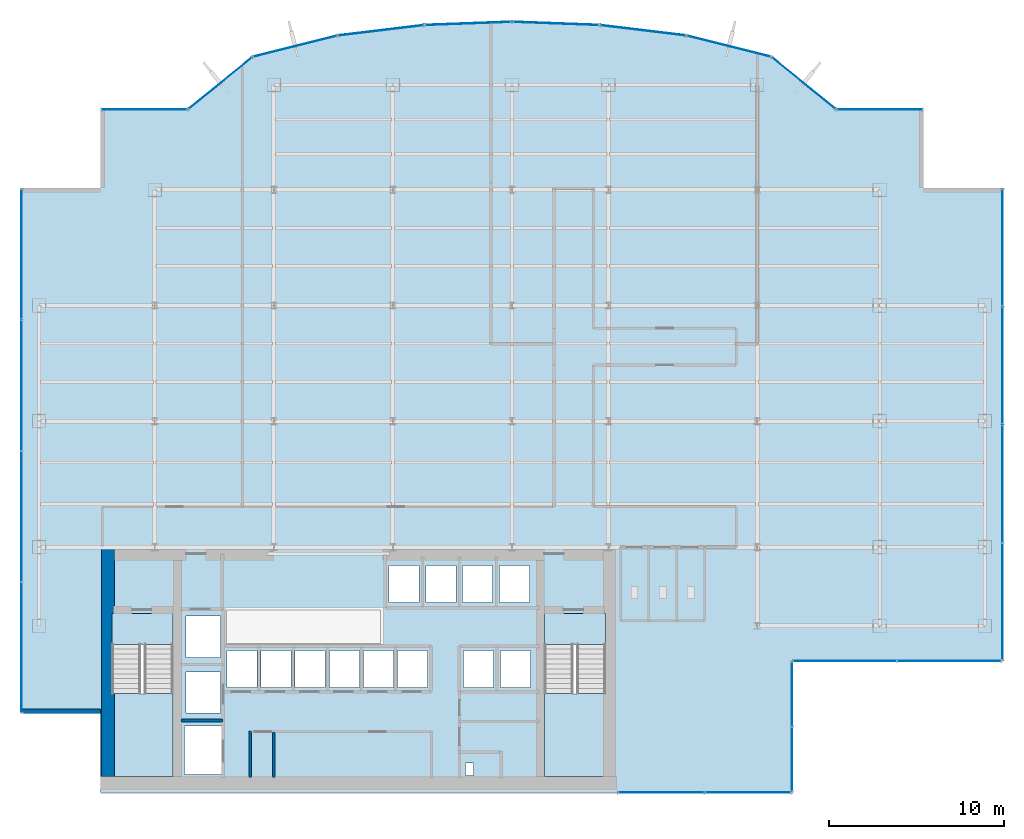
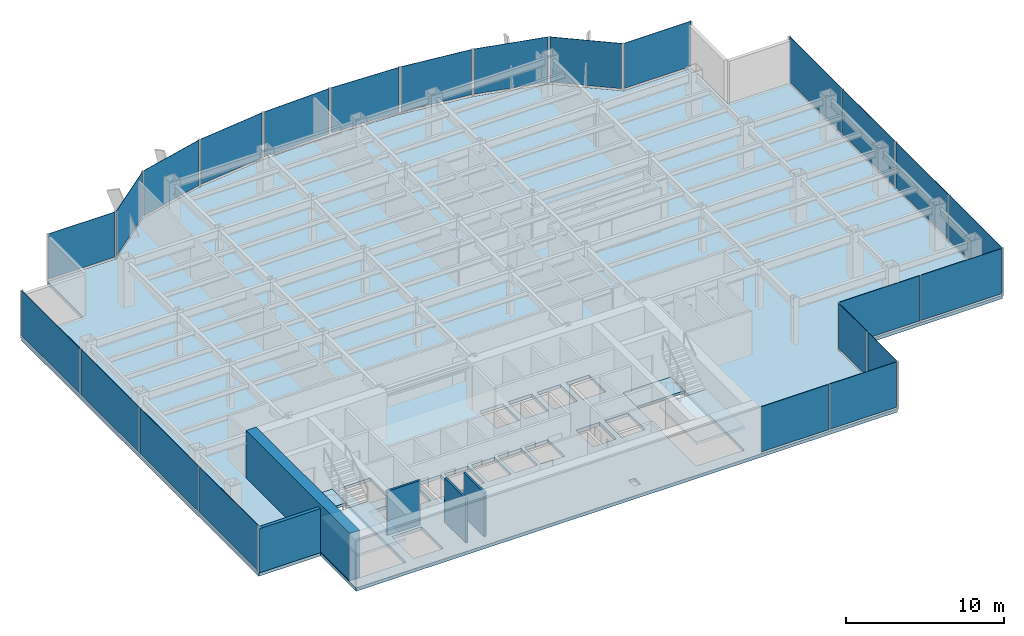
# One storey, part 20 of 26: 24 plates, 5 slabs, 5 walls, 17 elements without a shape of their own.
"""IFC4 building model written with IfcOpenShell, lengths in metres."""

from ifc_helpers import new_model, si_unit, derived_unit, direction, frame, frame_2d, origin, origin_2d, place, context, subcontext, project, spatial, polyline, rectangle, outline, extrude, source, transform, mapped, material, layer, layer_set, type_object, element, aggregate, save


model = new_model("IFC4")

# Units and contexts
model_context = context("Model", 3, precision=1e-05, world=origin(), true_north=direction((0.0, 1.0)))
body_context = subcontext(model_context, "Body", "Model", "MODEL_VIEW")
ifc_project = project(units=[si_unit("LENGTHUNIT", "METRE"), si_unit("AREAUNIT", "SQUARE_METRE"), si_unit("VOLUMEUNIT", "CUBIC_METRE"), si_unit("PLANEANGLEUNIT", "RADIAN"), si_unit("MASSUNIT", "GRAM", prefix="KILO"), derived_unit("THERMALTRANSMITTANCEUNIT", [(si_unit("POWERUNIT", "WATT"), 1), (si_unit("LENGTHUNIT", "METRE"), -2), (si_unit("THERMODYNAMICTEMPERATUREUNIT", "KELVIN"), -1)])], contexts=[model_context])

# Site, building, storey
site_placement = place(None, origin())
site = spatial("IfcSite", under=ifc_project, at=site_placement, CompositionType="ELEMENT")
building_placement = place(site_placement, origin())
building = spatial("IfcBuilding", under=site, at=building_placement, Name="Skarnbrae Concourse Arena and Tower", CompositionType="ELEMENT")
storey_placement = place(building_placement, frame((0.0, 0.0, 117.85009765625)))
storey = spatial("IfcBuildingStorey", under=building, at=storey_placement, Name="L29", CompositionType="ELEMENT", Elevation=117.85009765625)

# Stair, slab
ifc_material_1 = material(Name="Concrete 40 MPa (C40/50)", Category="concrete")
stair_type = type_object("IfcStairType", Name="STAIR-DOGLEG-1650", PredefinedType="HALF_TURN_STAIR", material=ifc_material_1)
stair_1_placement = place(storey_placement, origin())
stair_1 = element("IfcStair", 1, at=stair_1_placement, inside=storey, type_object=stair_type, Name="L29 Protected Exit Stair ST-1", PredefinedType="HALF_TURN_STAIR")
ifc_layer_1 = layer(ifc_material_1, 0.199951171875)
ifc_layer_set_1 = layer_set([ifc_layer_1], Name="Concrete 40 MPa (C40/50)")
slab_type_1 = type_object("IfcSlabType", Name="SLAB-LANDING-200", PredefinedType="LANDING", material=ifc_layer_set_1)
slab_1_placement = place(storey_placement, frame((0.0, 0.0, 1.625)))
slab_1 = element("IfcSlab", 2, at=slab_1_placement, type_object=slab_type_1, Name="ST-1 landing 1", PredefinedType="LANDING", context=body_context, shape_type="SweptSolid", body=[
    extrude(outline(polyline([(5.14990234375, 5.64990234375), (5.14990234375, 0.89990234375), (8.64990234375, 0.89990234375), (8.64990234375, 5.64990234375), (5.14990234375, 5.64990234375)])), origin(), (0.0, 0.0, 1.0), 0.199951171875),
])
aggregate(stair_1, [slab_1])

stair_2_placement = place(storey_placement, origin())
stair_2 = element("IfcStair", 3, at=stair_2_placement, inside=storey, type_object=stair_type, Name="L29 Protected Exit Stair ST-2", PredefinedType="HALF_TURN_STAIR")
slab_2_placement = place(storey_placement, frame((0.0, 0.0, 1.625)))
slab_2 = element("IfcSlab", 4, at=slab_2_placement, type_object=slab_type_1, Name="ST-2 landing 1", PredefinedType="LANDING", context=body_context, shape_type="SweptSolid", body=[
    extrude(outline(polyline([(29.85009765625, 5.64990234375), (29.85009765625, 0.89990234375), (33.35009765625, 0.89990234375), (33.35009765625, 5.64990234375), (29.85009765625, 5.64990234375)])), origin(), (0.0, 0.0, 1.0), 0.199951171875),
])
aggregate(stair_2, [slab_2])

# Slabs
slab_3_placement = place(storey_placement, frame((0.0, 0.0, -0.2001953125)))
element("IfcSlab", 5, at=slab_3_placement, inside=storey, type_object=slab_type_1, Name="L29 Core stair ST1 floor landing", PredefinedType="LANDING", context=body_context, shape_type="SweptSolid", body=[
    extrude(outline(polyline([(5.14990234375, 10.199951171875), (5.14990234375, 8.449951171875), (8.64990234375, 8.449951171875), (8.64990234375, 10.199951171875), (5.14990234375, 10.199951171875)])), origin(), (0.0, 0.0, 1.0), 0.2001953125),
])
slab_4_placement = place(storey_placement, frame((0.0, 0.0, -0.2001953125)))
element("IfcSlab", 6, at=slab_4_placement, inside=storey, type_object=slab_type_1, Name="L29 Core stair ST2 floor landing", PredefinedType="LANDING", context=body_context, shape_type="SweptSolid", body=[
    extrude(outline(polyline([(29.85009765625, 10.199951171875), (29.85009765625, 8.449951171875), (33.35009765625, 8.449951171875), (33.35009765625, 10.199951171875), (29.85009765625, 10.199951171875)])), origin(), (0.0, 0.0, 1.0), 0.2001953125),
])
ifc_layer_2 = layer(ifc_material_1, 0.25)
ifc_layer_set_2 = layer_set([ifc_layer_2], Name="Concrete 40 MPa (C40/50)")
slab_type_2 = type_object("IfcSlabType", Name="SLAB-TOWER-250", PredefinedType="FLOOR", material=ifc_layer_set_2)
slab_5_placement = place(storey_placement, frame((0.0, 0.0, -0.25)))
element("IfcSlab", 7, at=slab_5_placement, inside=storey, type_object=slab_type_2, Name="L29 Structural floor slab", PredefinedType="FLOOR", context=body_context, shape_type="SweptSolid", body=[
    extrude(outline(polyline([(4.5, 0.0), (44.0, 0.0), (44.0, 7.5), (56.0, 7.5), (56.0, 34.5), (51.5, 34.5), (51.5, 39.0), (46.5, 39.0), (42.81103515625, 41.99609375), (37.964111328125, 43.212890625), (32.998779296875, 43.81396484375), (28.0, 44.0), (23.001220703125, 43.81396484375), (18.035888671875, 43.212890625), (13.18896484375, 41.99609375), (9.5, 39.0), (4.5, 39.0), (4.5, 34.5), (0.0, 34.5), (0.0, 4.5), (4.5, 4.5), (4.5, 0.0)]), holes=[polyline([(9.294921875, 3.780029296875), (11.455078125, 3.780029296875), (11.455078125, 1.02001953125), (9.294921875, 1.02001953125), (9.294921875, 3.780029296875)]), polyline([(8.64990234375, 10.199951171875), (8.64990234375, 0.89990234375), (5.14990234375, 0.89990234375), (5.14990234375, 10.199951171875), (8.64990234375, 10.199951171875)]), polyline([(9.39501953125, 6.8798828125), (11.35498046875, 6.8798828125), (11.35498046875, 4.52001953125), (9.39501953125, 4.52001953125), (9.39501953125, 6.8798828125)]), polyline([(11.719970703125, 8.10498046875), (13.429931640625, 8.10498046875), (13.429931640625, 5.9951171875), (11.719970703125, 5.9951171875), (11.719970703125, 8.10498046875)]), polyline([(13.669921875, 8.10498046875), (15.3798828125, 8.10498046875), (15.3798828125, 5.9951171875), (13.669921875, 5.9951171875), (13.669921875, 8.10498046875)]), polyline([(15.6201171875, 8.10498046875), (17.330078125, 8.10498046875), (17.330078125, 5.9951171875), (15.6201171875, 5.9951171875), (15.6201171875, 8.10498046875)]), polyline([(17.570068359375, 8.10498046875), (19.280029296875, 8.10498046875), (19.280029296875, 5.9951171875), (17.570068359375, 5.9951171875), (17.570068359375, 8.10498046875)]), polyline([(21.22998046875, 8.10498046875), (21.22998046875, 5.9951171875), (19.52001953125, 5.9951171875), (19.52001953125, 8.10498046875), (21.22998046875, 8.10498046875)]), polyline([(11.35498046875, 10.054931640625), (11.35498046875, 7.695068359375), (9.39501953125, 7.695068359375), (9.39501953125, 10.054931640625), (11.35498046875, 10.054931640625)]), polyline([(25.35009765625, 1.669921875), (25.800048828125, 1.669921875), (25.800048828125, 0.949951171875), (25.35009765625, 0.949951171875), (25.35009765625, 1.669921875)]), polyline([(33.35009765625, 10.199951171875), (33.35009765625, 0.89990234375), (29.85009765625, 0.89990234375), (29.85009765625, 10.199951171875), (33.35009765625, 10.199951171875)]), polyline([(21.469970703125, 8.10498046875), (23.179931640625, 8.10498046875), (23.179931640625, 5.9951171875), (21.469970703125, 5.9951171875), (21.469970703125, 8.10498046875)]), polyline([(25.235107421875, 8.10498046875), (26.945068359375, 8.10498046875), (26.945068359375, 5.9951171875), (25.235107421875, 5.9951171875), (25.235107421875, 8.10498046875)]), polyline([(27.3349609375, 8.10498046875), (29.044921875, 8.10498046875), (29.044921875, 5.9951171875), (27.3349609375, 5.9951171875), (27.3349609375, 8.10498046875)]), polyline([(20.985107421875, 12.955078125), (22.695068359375, 12.955078125), (22.695068359375, 10.844970703125), (20.985107421875, 10.844970703125), (20.985107421875, 12.955078125)]), polyline([(23.0849609375, 12.955078125), (24.794921875, 12.955078125), (24.794921875, 10.844970703125), (23.0849609375, 10.844970703125), (23.0849609375, 12.955078125)]), polyline([(26.89501953125, 12.955078125), (26.89501953125, 10.844970703125), (25.18505859375, 10.844970703125), (25.18505859375, 12.955078125), (26.89501953125, 12.955078125)]), polyline([(28.9951171875, 12.955078125), (28.9951171875, 10.844970703125), (27.284912109375, 10.844970703125), (27.284912109375, 12.955078125), (28.9951171875, 12.955078125)])]), origin(), (0.0, 0.0, 1.0), 0.25),
])

# Curtain wall, plates
ifc_material_2 = material(Name="Bronze anodised aluminium 6063-T6", Category="aluminium")
curtain_wall_type_1 = type_object("IfcCurtainWallType", Name="CW-SYS-04-MIDZONE", PredefinedType="USERDEFINED", material=ifc_material_2)
curtain_wall_1_placement = place(storey_placement, origin())
curtain_wall_1 = element("IfcCurtainWall", 8, at=curtain_wall_1_placement, inside=storey, type_object=curtain_wall_type_1, Name="L29 Unitised curtain wall CW-L29-SE-SPINE", ObjectType="UNITISED CURTAIN WALL", PredefinedType="USERDEFINED")
ifc_material_3 = material(Name="Low-E triple insulating glass", Category="glass")
ifc_layer_3 = layer(ifc_material_3, 0.031982421875)
ifc_layer_set_3 = layer_set([ifc_layer_3], Name="Low-E triple insulating glass")
plate_type_1 = type_object("IfcPlateType", Name="CWP-CW-04", PredefinedType="CURTAIN_PANEL", material=ifc_layer_set_3)
shared_shape_1 = source(origin(), body_context, "Body", "SweptSolid", [
    extrude(rectangle(XDim=4.887451171875, YDim=0.031982421875, at=origin_2d()), origin(), (0.0, 0.0, 1.0), 3.489990234375),
])
plate_1_placement = place(storey_placement, frame((36.518798828125, 0.0, 0.15966796875), z_axis=(0.0, 0.0, 1.0), x_axis=(1.0, 0.0, 0.0)))
plate_1 = element("IfcPlate", 9, at=plate_1_placement, type_object=plate_type_1, Name="CW-L29-SE-SPINE Low-E Glazing Panel 1", PredefinedType="CURTAIN_PANEL", context=body_context, shape_type="MappedRepresentation", body=[
    mapped(shared_shape_1, transform((0.0, 0.0, 0.0))),
])
plate_2_placement = place(storey_placement, frame((41.481201171875, 0.0, 0.15966796875), z_axis=(0.0, 0.0, 1.0), x_axis=(1.0, 0.0, 0.0)))
plate_2 = element("IfcPlate", 10, at=plate_2_placement, type_object=plate_type_1, Name="CW-L29-SE-SPINE Low-E Glazing Panel 2", PredefinedType="CURTAIN_PANEL", context=body_context, shape_type="MappedRepresentation", body=[
    mapped(shared_shape_1, transform((0.0, 0.0, 0.0))),
])
aggregate(curtain_wall_1, [plate_1, plate_2])

curtain_wall_2_placement = place(storey_placement, origin())
curtain_wall_2 = element("IfcCurtainWall", 11, at=curtain_wall_2_placement, inside=storey, type_object=curtain_wall_type_1, Name="L29 Unitised curtain wall CW-L29-E02", ObjectType="UNITISED CURTAIN WALL", PredefinedType="USERDEFINED")
shared_shape_2 = source(origin(), body_context, "Body", "SweptSolid", [
    extrude(rectangle(XDim=3.637451171875, YDim=0.031982421875, at=origin_2d()), origin(), (0.0, 0.0, 1.0), 3.489990234375),
])
plate_3_placement = place(storey_placement, frame((44.0, 1.893798828125, 0.15966796875), z_axis=(0.0, 0.0, 1.0), x_axis=(0.0, 1.0, 0.0)))
plate_3 = element("IfcPlate", 12, at=plate_3_placement, type_object=plate_type_1, Name="CW-L29-E02 Low-E Glazing Panel 1", PredefinedType="CURTAIN_PANEL", context=body_context, shape_type="MappedRepresentation", body=[
    mapped(shared_shape_2, transform((0.0, 0.0, 0.0))),
])
plate_4_placement = place(storey_placement, frame((44.0, 5.606201171875, 0.15966796875), z_axis=(0.0, 0.0, 1.0), x_axis=(0.0, 1.0, 0.0)))
plate_4 = element("IfcPlate", 13, at=plate_4_placement, type_object=plate_type_1, Name="CW-L29-E02 Low-E Glazing Panel 2", PredefinedType="CURTAIN_PANEL", context=body_context, shape_type="MappedRepresentation", body=[
    mapped(shared_shape_2, transform((0.0, 0.0, 0.0))),
])
aggregate(curtain_wall_2, [plate_3, plate_4])

curtain_wall_3_placement = place(storey_placement, origin())
curtain_wall_3 = element("IfcCurtainWall", 14, at=curtain_wall_3_placement, inside=storey, type_object=curtain_wall_type_1, Name="L29 Unitised curtain wall CW-L29-E03", ObjectType="UNITISED CURTAIN WALL", PredefinedType="USERDEFINED")
shared_shape_3 = source(origin(), body_context, "Body", "SweptSolid", [
    extrude(rectangle(XDim=5.887451171875, YDim=0.031982421875, at=origin_2d()), origin(), (0.0, 0.0, 1.0), 3.489990234375),
])
plate_5_placement = place(storey_placement, frame((47.018798828125, 7.5, 0.15966796875), z_axis=(0.0, 0.0, 1.0), x_axis=(1.0, 0.0, 0.0)))
plate_5 = element("IfcPlate", 15, at=plate_5_placement, type_object=plate_type_1, Name="CW-L29-E03 Low-E Glazing Panel 1", PredefinedType="CURTAIN_PANEL", context=body_context, shape_type="MappedRepresentation", body=[
    mapped(shared_shape_3, transform((0.0, 0.0, 0.0))),
])
plate_6_placement = place(storey_placement, frame((52.981201171875, 7.5, 0.15966796875), z_axis=(0.0, 0.0, 1.0), x_axis=(1.0, 0.0, 0.0)))
plate_6 = element("IfcPlate", 16, at=plate_6_placement, type_object=plate_type_1, Name="CW-L29-E03 Low-E Glazing Panel 2", PredefinedType="CURTAIN_PANEL", context=body_context, shape_type="MappedRepresentation", body=[
    mapped(shared_shape_3, transform((0.0, 0.0, 0.0))),
])
aggregate(curtain_wall_3, [plate_5, plate_6])

# Curtain wall, plate
curtain_wall_4_placement = place(storey_placement, origin())
curtain_wall_4 = element("IfcCurtainWall", 17, at=curtain_wall_4_placement, inside=storey, type_object=curtain_wall_type_1, Name="L29 Unitised curtain wall CW-L29-E07", ObjectType="UNITISED CURTAIN WALL", PredefinedType="USERDEFINED")
shared_shape_4 = source(origin(), body_context, "Body", "SweptSolid", [
    extrude(rectangle(XDim=4.85009765625, YDim=0.031982421875, at=origin_2d()), origin(), (0.0, 0.0, 1.0), 3.489990234375),
])
plate_7_placement = place(storey_placement, frame((49.0, 39.0, 0.15966796875), z_axis=(0.0, 0.0, 1.0), x_axis=(-1.0, 0.0, 0.0)))
plate_7 = element("IfcPlate", 18, at=plate_7_placement, type_object=plate_type_1, Name="CW-L29-E07 Low-E Glazing Panel 1", PredefinedType="CURTAIN_PANEL", context=body_context, shape_type="MappedRepresentation", body=[
    mapped(shared_shape_4, transform((0.0, 0.0, 0.0))),
])
aggregate(curtain_wall_4, [plate_7])

curtain_wall_5_placement = place(storey_placement, origin())
curtain_wall_5 = element("IfcCurtainWall", 19, at=curtain_wall_5_placement, inside=storey, type_object=curtain_wall_type_1, Name="L29 Unitised curtain wall CW-L29-E16", ObjectType="UNITISED CURTAIN WALL", PredefinedType="USERDEFINED")
plate_8_placement = place(storey_placement, frame((7.0, 39.0, 0.15966796875), z_axis=(0.0, 0.0, 1.0), x_axis=(-1.0, 0.0, 0.0)))
plate_8 = element("IfcPlate", 20, at=plate_8_placement, type_object=plate_type_1, Name="CW-L29-E16 Low-E Glazing Panel 1", PredefinedType="CURTAIN_PANEL", context=body_context, shape_type="MappedRepresentation", body=[
    mapped(shared_shape_4, transform((0.0, 0.0, 0.0))),
])
aggregate(curtain_wall_5, [plate_8])

curtain_wall_6_placement = place(storey_placement, origin())
curtain_wall_6 = element("IfcCurtainWall", 21, at=curtain_wall_6_placement, inside=storey, type_object=curtain_wall_type_1, Name="L29 Unitised curtain wall CW-L29-E08", ObjectType="UNITISED CURTAIN WALL", PredefinedType="USERDEFINED")
shared_shape_5 = source(origin(), body_context, "Body", "SweptSolid", [
    extrude(rectangle(XDim=4.602294921875, YDim=0.031982421875, at=origin_2d()), origin(), (0.0, 0.0, 1.0), 3.489990234375),
])
plate_9_placement = place(storey_placement, frame((44.655517578125, 40.498046875, 0.15966796875), z_axis=(0.0, 0.0, 1.0), x_axis=(-0.776241200471, 0.630436038542, 0.0)))
plate_9 = element("IfcPlate", 22, at=plate_9_placement, type_object=plate_type_1, Name="CW-L29-E08 Low-E Glazing Panel 1", PredefinedType="CURTAIN_PANEL", context=body_context, shape_type="MappedRepresentation", body=[
    mapped(shared_shape_5, transform((0.0, 0.0, 0.0))),
])
aggregate(curtain_wall_6, [plate_9])

curtain_wall_7_placement = place(storey_placement, origin())
curtain_wall_7 = element("IfcCurtainWall", 23, at=curtain_wall_7_placement, inside=storey, type_object=curtain_wall_type_1, Name="L29 Unitised curtain wall CW-L29-E15", ObjectType="UNITISED CURTAIN WALL", PredefinedType="USERDEFINED")
plate_10_placement = place(storey_placement, frame((11.344482421875, 40.498046875, 0.15966796875), z_axis=(0.0, 0.0, 1.0), x_axis=(-0.776241200471, -0.630436038542, 0.0)))
plate_10 = element("IfcPlate", 24, at=plate_10_placement, type_object=plate_type_1, Name="CW-L29-E15 Low-E Glazing Panel 1", PredefinedType="CURTAIN_PANEL", context=body_context, shape_type="MappedRepresentation", body=[
    mapped(shared_shape_5, transform((0.0, 0.0, 0.0))),
])
aggregate(curtain_wall_7, [plate_10])

curtain_wall_8_placement = place(storey_placement, origin())
curtain_wall_8 = element("IfcCurtainWall", 25, at=curtain_wall_8_placement, inside=storey, type_object=curtain_wall_type_1, Name="L29 Unitised curtain wall CW-L29-E09", ObjectType="UNITISED CURTAIN WALL", PredefinedType="USERDEFINED")
shared_shape_6 = source(origin(), body_context, "Body", "SweptSolid", [
    extrude(rectangle(XDim=4.847412109375, YDim=0.031982421875, at=origin_2d()), origin(), (0.0, 0.0, 1.0), 3.489990234375),
])
plate_11_placement = place(storey_placement, frame((40.3876953125, 42.6044921875, 0.15966796875), z_axis=(0.0, 0.0, 1.0), x_axis=(-0.969903046166, 0.243491439351, 0.0)))
plate_11 = element("IfcPlate", 26, at=plate_11_placement, type_object=plate_type_1, Name="CW-L29-E09 Low-E Glazing Panel 1", PredefinedType="CURTAIN_PANEL", context=body_context, shape_type="MappedRepresentation", body=[
    mapped(shared_shape_6, transform((0.0, 0.0, 0.0))),
])
aggregate(curtain_wall_8, [plate_11])

curtain_wall_9_placement = place(storey_placement, origin())
curtain_wall_9 = element("IfcCurtainWall", 27, at=curtain_wall_9_placement, inside=storey, type_object=curtain_wall_type_1, Name="L29 Unitised curtain wall CW-L29-E14", ObjectType="UNITISED CURTAIN WALL", PredefinedType="USERDEFINED")
plate_12_placement = place(storey_placement, frame((15.6123046875, 42.6044921875, 0.15966796875), z_axis=(0.0, 0.0, 1.0), x_axis=(-0.969903046166, -0.243491439351, 0.0)))
plate_12 = element("IfcPlate", 28, at=plate_12_placement, type_object=plate_type_1, Name="CW-L29-E14 Low-E Glazing Panel 1", PredefinedType="CURTAIN_PANEL", context=body_context, shape_type="MappedRepresentation", body=[
    mapped(shared_shape_6, transform((0.0, 0.0, 0.0))),
])
aggregate(curtain_wall_9, [plate_12])

# Curtain wall, plates
curtain_wall_10_placement = place(storey_placement, origin())
curtain_wall_10 = element("IfcCurtainWall", 29, at=curtain_wall_10_placement, inside=storey, type_object=curtain_wall_type_1, Name="L29 Unitised curtain wall CW-L29-E19", ObjectType="UNITISED CURTAIN WALL", PredefinedType="USERDEFINED")
shared_shape_7 = source(origin(), body_context, "Body", "SweptSolid", [
    extrude(rectangle(XDim=7.387451171875, YDim=0.031982421875, at=origin_2d()), origin(), (0.0, 0.0, 1.0), 3.489990234375),
])
plate_13_placement = place(storey_placement, frame((0.0, 30.731201171875, 0.15966796875), z_axis=(0.0, 0.0, 1.0), x_axis=(0.0, -1.0, 0.0)))
plate_13 = element("IfcPlate", 30, at=plate_13_placement, type_object=plate_type_1, Name="CW-L29-E19 Low-E Glazing Panel 1", PredefinedType="CURTAIN_PANEL", context=body_context, shape_type="MappedRepresentation", body=[
    mapped(shared_shape_7, transform((0.0, 0.0, 0.0))),
])
plate_14_placement = place(storey_placement, frame((0.0, 8.268798828125, 0.15966796875), z_axis=(0.0, 0.0, 1.0), x_axis=(0.0, -1.0, 0.0)))
plate_14 = element("IfcPlate", 31, at=plate_14_placement, type_object=plate_type_1, Name="CW-L29-E19 Low-E Glazing Panel 4", PredefinedType="CURTAIN_PANEL", context=body_context, shape_type="MappedRepresentation", body=[
    mapped(shared_shape_7, transform((0.0, 0.0, 0.0))),
])
shared_shape_8 = source(origin(), body_context, "Body", "SweptSolid", [
    extrude(rectangle(XDim=7.425048828125, YDim=0.031982421875, at=origin_2d()), origin(), (0.0, 0.0, 1.0), 3.489990234375),
])
plate_15_placement = place(storey_placement, frame((0.0, 23.25, 0.15966796875), z_axis=(0.0, 0.0, 1.0), x_axis=(0.0, -1.0, 0.0)))
plate_15 = element("IfcPlate", 32, at=plate_15_placement, type_object=plate_type_1, Name="CW-L29-E19 Low-E Glazing Panel 2", PredefinedType="CURTAIN_PANEL", context=body_context, shape_type="MappedRepresentation", body=[
    mapped(shared_shape_8, transform((0.0, 0.0, 0.0))),
])
plate_16_placement = place(storey_placement, frame((0.0, 15.75, 0.15966796875), z_axis=(0.0, 0.0, 1.0), x_axis=(0.0, -1.0, 0.0)))
plate_16 = element("IfcPlate", 33, at=plate_16_placement, type_object=plate_type_1, Name="CW-L29-E19 Low-E Glazing Panel 3", PredefinedType="CURTAIN_PANEL", context=body_context, shape_type="MappedRepresentation", body=[
    mapped(shared_shape_8, transform((0.0, 0.0, 0.0))),
])
aggregate(curtain_wall_10, [plate_13, plate_15, plate_16, plate_14])

curtain_wall_11_placement = place(storey_placement, origin())
curtain_wall_11 = element("IfcCurtainWall", 34, at=curtain_wall_11_placement, inside=storey, type_object=curtain_wall_type_1, Name="L29 Unitised curtain wall CW-L29-E04", ObjectType="UNITISED CURTAIN WALL", PredefinedType="USERDEFINED")
shared_shape_9 = source(origin(), body_context, "Body", "SweptSolid", [
    extrude(rectangle(XDim=6.637451171875, YDim=0.031982421875, at=origin_2d()), origin(), (0.0, 0.0, 1.0), 3.489990234375),
])
plate_17_placement = place(storey_placement, frame((56.0, 10.893798828125, 0.15966796875), z_axis=(0.0, 0.0, 1.0), x_axis=(0.0, 1.0, 0.0)))
plate_17 = element("IfcPlate", 35, at=plate_17_placement, type_object=plate_type_1, Name="CW-L29-E04 Low-E Glazing Panel 1", PredefinedType="CURTAIN_PANEL", context=body_context, shape_type="MappedRepresentation", body=[
    mapped(shared_shape_9, transform((0.0, 0.0, 0.0))),
])
plate_18_placement = place(storey_placement, frame((56.0, 31.106201171875, 0.15966796875), z_axis=(0.0, 0.0, 1.0), x_axis=(0.0, 1.0, 0.0)))
plate_18 = element("IfcPlate", 36, at=plate_18_placement, type_object=plate_type_1, Name="CW-L29-E04 Low-E Glazing Panel 4", PredefinedType="CURTAIN_PANEL", context=body_context, shape_type="MappedRepresentation", body=[
    mapped(shared_shape_9, transform((0.0, 0.0, 0.0))),
])
shared_shape_10 = source(origin(), body_context, "Body", "SweptSolid", [
    extrude(rectangle(XDim=6.675048828125, YDim=0.031982421875, at=origin_2d()), origin(), (0.0, 0.0, 1.0), 3.489990234375),
])
plate_19_placement = place(storey_placement, frame((56.0, 17.625, 0.15966796875), z_axis=(0.0, 0.0, 1.0), x_axis=(0.0, 1.0, 0.0)))
plate_19 = element("IfcPlate", 37, at=plate_19_placement, type_object=plate_type_1, Name="CW-L29-E04 Low-E Glazing Panel 2", PredefinedType="CURTAIN_PANEL", context=body_context, shape_type="MappedRepresentation", body=[
    mapped(shared_shape_10, transform((0.0, 0.0, 0.0))),
])
plate_20_placement = place(storey_placement, frame((56.0, 24.375, 0.15966796875), z_axis=(0.0, 0.0, 1.0), x_axis=(0.0, 1.0, 0.0)))
plate_20 = element("IfcPlate", 38, at=plate_20_placement, type_object=plate_type_1, Name="CW-L29-E04 Low-E Glazing Panel 3", PredefinedType="CURTAIN_PANEL", context=body_context, shape_type="MappedRepresentation", body=[
    mapped(shared_shape_10, transform((0.0, 0.0, 0.0))),
])
aggregate(curtain_wall_11, [plate_17, plate_19, plate_20, plate_18])

# Curtain wall, plate
curtain_wall_type_2 = type_object("IfcCurtainWallType", Name="CW-SYS-03-PORTAL", PredefinedType="USERDEFINED", material=ifc_material_2)
curtain_wall_12_placement = place(storey_placement, origin())
curtain_wall_12 = element("IfcCurtainWall", 39, at=curtain_wall_12_placement, inside=storey, type_object=curtain_wall_type_2, Name="L29 Unitised curtain wall CW-L29-E10", ObjectType="UNITISED CURTAIN WALL", PredefinedType="USERDEFINED")
ifc_layer_4 = layer(ifc_material_3, 0.033935546875)
ifc_layer_set_4 = layer_set([ifc_layer_4], Name="Low-E triple insulating glass")
plate_type_2 = type_object("IfcPlateType", Name="CWP-CW-03", PredefinedType="CURTAIN_PANEL", material=ifc_layer_set_4)
shared_shape_11 = source(origin(), body_context, "Body", "SweptSolid", [
    extrude(rectangle(XDim=4.841552734375, YDim=0.033935546875, at=origin_2d()), origin(), (0.0, 0.0, 1.0), 3.47998046875),
])
plate_21_placement = place(storey_placement, frame((35.4814453125, 43.513427734375, 0.169921875), z_axis=(0.0, 0.0, 1.0), x_axis=(-0.992749371969, 0.120202680731, 0.0)))
plate_21 = element("IfcPlate", 40, at=plate_21_placement, type_object=plate_type_2, Name="CW-L29-E10 Low-E Glazing Panel 1", PredefinedType="CURTAIN_PANEL", context=body_context, shape_type="MappedRepresentation", body=[
    mapped(shared_shape_11, transform((0.0, 0.0, 0.0))),
])
aggregate(curtain_wall_12, [plate_21])

curtain_wall_13_placement = place(storey_placement, origin())
curtain_wall_13 = element("IfcCurtainWall", 41, at=curtain_wall_13_placement, inside=storey, type_object=curtain_wall_type_2, Name="L29 Unitised curtain wall CW-L29-E13", ObjectType="UNITISED CURTAIN WALL", PredefinedType="USERDEFINED")
plate_22_placement = place(storey_placement, frame((20.5185546875, 43.513427734375, 0.169921875), z_axis=(0.0, 0.0, 1.0), x_axis=(-0.992749371969, -0.120202680731, 0.0)))
plate_22 = element("IfcPlate", 42, at=plate_22_placement, type_object=plate_type_2, Name="CW-L29-E13 Low-E Glazing Panel 1", PredefinedType="CURTAIN_PANEL", context=body_context, shape_type="MappedRepresentation", body=[
    mapped(shared_shape_11, transform((0.0, 0.0, 0.0))),
])
aggregate(curtain_wall_13, [plate_22])

curtain_wall_14_placement = place(storey_placement, origin())
curtain_wall_14 = element("IfcCurtainWall", 43, at=curtain_wall_14_placement, inside=storey, type_object=curtain_wall_type_2, Name="L29 Unitised curtain wall CW-L29-E11", ObjectType="UNITISED CURTAIN WALL", PredefinedType="USERDEFINED")
shared_shape_12 = source(origin(), body_context, "Body", "SweptSolid", [
    extrude(rectangle(XDim=4.84228515625, YDim=0.033935546875, at=origin_2d()), origin(), (0.0, 0.0, 1.0), 3.47998046875),
])
plate_23_placement = place(storey_placement, frame((30.49951171875, 43.906982421875, 0.169921875), z_axis=(0.0, 0.0, 1.0), x_axis=(-0.999308486252, 0.037182647889, 0.0)))
plate_23 = element("IfcPlate", 44, at=plate_23_placement, type_object=plate_type_2, Name="CW-L29-E11 Low-E Glazing Panel 1", PredefinedType="CURTAIN_PANEL", context=body_context, shape_type="MappedRepresentation", body=[
    mapped(shared_shape_12, transform((0.0, 0.0, 0.0))),
])
aggregate(curtain_wall_14, [plate_23])

curtain_wall_15_placement = place(storey_placement, origin())
curtain_wall_15 = element("IfcCurtainWall", 45, at=curtain_wall_15_placement, inside=storey, type_object=curtain_wall_type_2, Name="L29 Unitised curtain wall CW-L29-E12", ObjectType="UNITISED CURTAIN WALL", PredefinedType="USERDEFINED")
plate_24_placement = place(storey_placement, frame((25.50048828125, 43.906982421875, 0.169921875), z_axis=(0.0, 0.0, 1.0), x_axis=(-0.999308486252, -0.037182647889, 0.0)))
plate_24 = element("IfcPlate", 46, at=plate_24_placement, type_object=plate_type_2, Name="CW-L29-E12 Low-E Glazing Panel 1", PredefinedType="CURTAIN_PANEL", context=body_context, shape_type="MappedRepresentation", body=[
    mapped(shared_shape_12, transform((0.0, 0.0, 0.0))),
])
aggregate(curtain_wall_15, [plate_24])

# Walls
ifc_material_4 = material(Name="Concrete 60 MPa (C60/75)", Category="concrete")
ifc_layer_5 = layer(ifc_material_4, 0.75)
ifc_layer_set_5 = layer_set([ifc_layer_5], Name="Concrete 60 MPa (C60/75)")
wall_type_1 = type_object("IfcWallType", Name="WALL-CORE-750-C60", PredefinedType="SHEAR", material=ifc_layer_set_5)
shared_shape_13 = source(origin(), body_context, "Body", "SweptSolid", [
    extrude(rectangle(XDim=13.10009765625, YDim=0.75, at=frame_2d((6.550048828125, 0.0))), origin(), (0.0, 0.0, 1.0), 3.64990234375),
])
wall_1_placement = place(storey_placement, frame((4.925048828125, 0.89990234375, 0.0), z_axis=(0.0, 0.0, 1.0), x_axis=(0.0, 1.0, 0.0)))
element("IfcWall", 47, at=wall_1_placement, inside=storey, type_object=wall_type_1, Name="L29 Rear core shear wall CW-W", PredefinedType="SHEAR", context=body_context, shape_type="MappedRepresentation", body=[
    mapped(shared_shape_13, transform((0.0, 0.0, 0.0))),
])
ifc_material_5 = material(Name="Precast concrete 40 MPa (C40/50)", Category="concrete")
ifc_layer_6 = layer(ifc_material_5, 0.25)
ifc_layer_set_6 = layer_set([ifc_layer_6], Name="Precast concrete 40 MPa (C40/50)")
wall_type_2 = type_object("IfcWallType", Name="WALL-EXT-SPANDREL-250", PredefinedType="STANDARD", material=ifc_layer_set_6)
shared_shape_14 = source(origin(), body_context, "Body", "SweptSolid", [
    extrude(rectangle(XDim=4.5, YDim=0.25, at=frame_2d((2.25, 0.0))), origin(), (0.0, 0.0, 1.0), 3.39990234375),
])
wall_2_placement = place(storey_placement, frame((0.0, 4.625, 0.0), z_axis=(0.0, 0.0, 1.0), x_axis=(1.0, 0.0, 0.0)))
element("IfcWall", 48, at=wall_2_placement, inside=storey, type_object=wall_type_2, Name="L29 Notched corner insulated return wall 20", PredefinedType="STANDARD", context=body_context, shape_type="MappedRepresentation", body=[
    mapped(shared_shape_14, transform((0.0, 0.0, 0.0))),
])
ifc_material_6 = material(Name="Gypsum board on cold-formed steel studs", Category="steel")
ifc_layer_7 = layer(ifc_material_6, 0.14990234375)
ifc_layer_set_7 = layer_set([ifc_layer_7], Name="Gypsum board on cold-formed steel studs")
wall_type_3 = type_object("IfcWallType", Name="WALL-PART-150", PredefinedType="PARTITIONING", material=ifc_layer_set_7)
shared_shape_15 = source(origin(), body_context, "Body", "SweptSolid", [
    extrude(rectangle(XDim=2.39990234375, YDim=0.14990234375, at=frame_2d((1.199951171875, 0.0))), origin(), (0.0, 0.0, 1.0), 3.39990234375),
])
wall_3_placement = place(storey_placement, frame((9.10009765625, 4.10009765625, 0.0), z_axis=(0.0, 0.0, 1.0), x_axis=(1.0, 0.0, 0.0)))
element("IfcWall", 49, at=wall_3_placement, inside=storey, type_object=wall_type_3, Name="L29 Interior partition wall W-L29-FL-D1", PredefinedType="PARTITIONING", context=body_context, shape_type="MappedRepresentation", body=[
    mapped(shared_shape_15, transform((0.0, 0.0, 0.0))),
])
shared_shape_16 = source(origin(), body_context, "Body", "SweptSolid", [
    extrude(rectangle(XDim=2.599853515625, YDim=0.14990234375, at=frame_2d((1.2998046875, 0.0))), origin(), (0.0, 0.0, 1.0), 3.39990234375),
])
wall_4_placement = place(storey_placement, frame((14.39990234375, 0.85009765625, 0.0), z_axis=(0.0, 0.0, 1.0), x_axis=(0.0, 1.0, 0.0)))
element("IfcWall", 50, at=wall_4_placement, inside=storey, type_object=wall_type_3, Name="L29 Interior partition wall W-L29-B1M-C1", PredefinedType="PARTITIONING", context=body_context, shape_type="MappedRepresentation", body=[
    mapped(shared_shape_16, transform((0.0, 0.0, 0.0))),
])
ifc_layer_8 = layer(ifc_material_6, 0.14990234375)
ifc_layer_set_8 = layer_set([ifc_layer_8], Name="Gypsum board on cold-formed steel studs")
wall_type_4 = type_object("IfcWallType", Name="WALL-PART-150-1HR", PredefinedType="PARTITIONING", material=ifc_layer_set_8)
shared_shape_17 = source(origin(), body_context, "Body", "SweptSolid", [
    extrude(rectangle(XDim=2.64990234375, YDim=0.14990234375, at=frame_2d((1.324951171875, 0.0))), origin(), (0.0, 0.0, 1.0), 3.39990234375),
])
wall_5_placement = place(storey_placement, frame((13.050048828125, 0.85009765625, 0.0), z_axis=(0.0, 0.0, 1.0), x_axis=(0.0, 1.0, 0.0)))
element("IfcWall", 51, at=wall_5_placement, inside=storey, type_object=wall_type_4, Name="L29 Interior partition wall W-L29-B1M-W", PredefinedType="PARTITIONING", context=body_context, shape_type="MappedRepresentation", body=[
    mapped(shared_shape_17, transform((0.0, 0.0, 0.0))),
])

save(model, "model.ifc")
